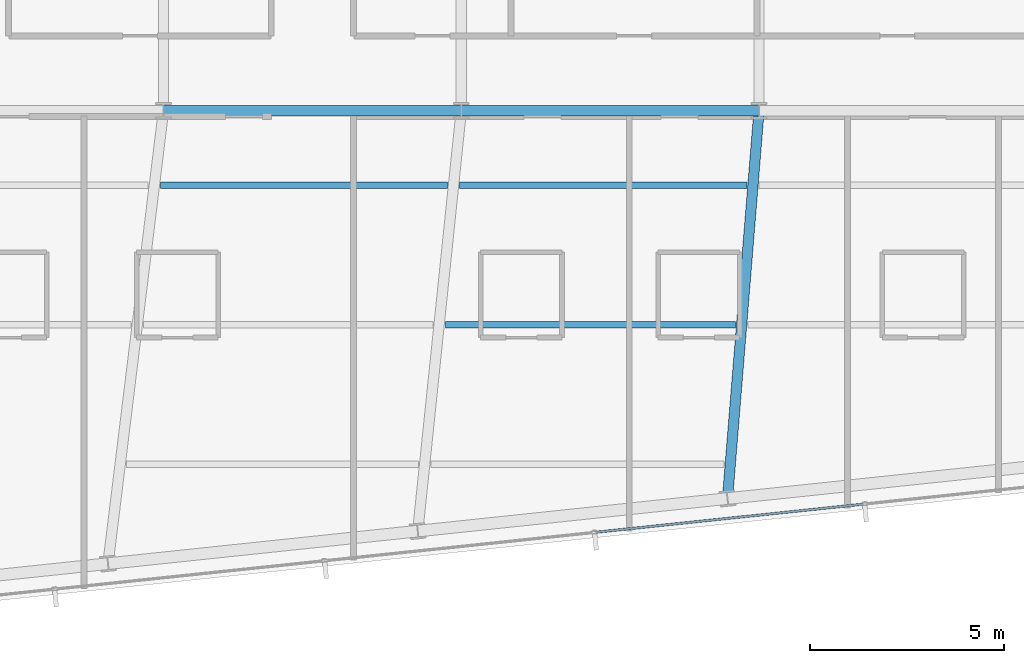
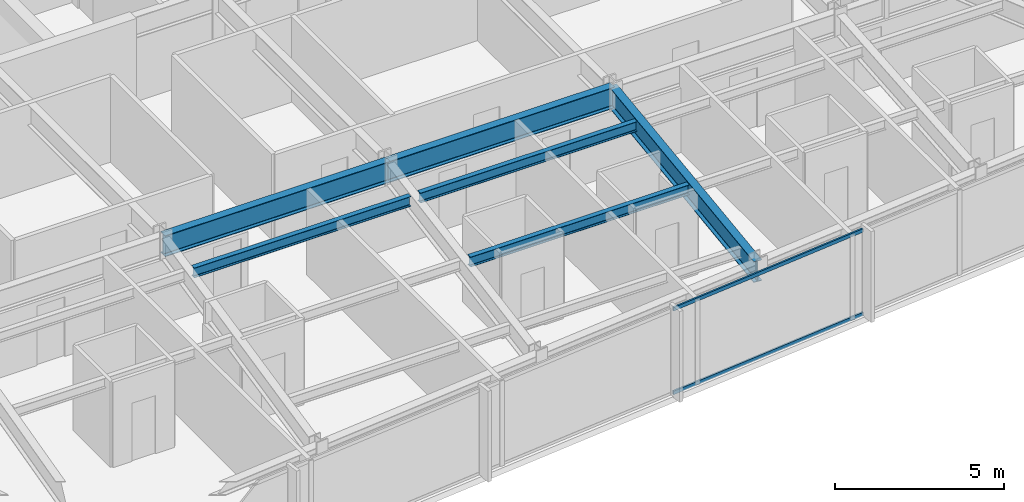
# One storey, part 9 of 33: 6 beams, 2 members, 1 element without a shape of its own.
"""IFC4 building model written with IfcOpenShell, lengths in metres."""

from ifc_helpers import new_model, si_unit, direction, frame, origin, origin_2d, place, context, subcontext, project, spatial, hollow_rectangle, i_section, extrude, material, material_profile, profile_set, type_object, element, aggregate, save


model = new_model("IFC4")

# Units and contexts
model_context = context("Model", 3, precision=1e-05, world=origin(), true_north=direction((0.0, 1.0)))
body_context = subcontext(model_context, "Body", "Model", "MODEL_VIEW")
ifc_project = project(units=[si_unit("LENGTHUNIT", "METRE"), si_unit("AREAUNIT", "SQUARE_METRE"), si_unit("VOLUMEUNIT", "CUBIC_METRE"), si_unit("PLANEANGLEUNIT", "RADIAN"), si_unit("MASSUNIT", "GRAM", prefix="KILO")], contexts=[model_context])

# Site, building, storey
site_placement = place(None, origin())
site = spatial("IfcSite", under=ifc_project, at=site_placement, CompositionType="ELEMENT")
building_placement = place(site_placement, origin())
building = spatial("IfcBuilding", under=site, at=building_placement, Name="Yelkora Congress Tower", CompositionType="ELEMENT")
storey_placement = place(building_placement, frame((0.0, 0.0, 237.5)))
storey = spatial("IfcBuildingStorey", under=building, at=storey_placement, Name="L66", CompositionType="ELEMENT", Elevation=237.5)

# Beams
ifc_material_1 = material(Name="Steel S355J2", Category="steel")
ifc_material_profile_1 = material_profile(ifc_material_1, i_section(OverallWidth=0.26708984375, OverallDepth=0.761962890625, WebThickness=0.014404296875, FlangeThickness=0.021484375, FilletRadius=0.01708984375, at=origin_2d()), Name="IPE 750x173")
ifc_profile_set_1 = profile_set([ifc_material_profile_1], Name="Steel S355J2")
beam_type_1 = type_object("IfcBeamType", Name="BM-GIRD-IPE750", PredefinedType="BEAM", material=ifc_profile_set_1)
beam_1_placement = place(storey_placement, frame((30.719970703125, 25.199951171875, 2.698974609375), z_axis=(1.0, 0.0, 0.0), x_axis=(0.0, 1.0, 0.0)))
element("IfcBeam", 1, at=beam_1_placement, inside=storey, type_object=beam_type_1, Name="L66 Spine Grid D Girder 3", PredefinedType="BEAM", context=body_context, shape_type="SweptSolid", body=[
    extrude(i_section(OverallWidth=0.26708984375, OverallDepth=0.761962890625, WebThickness=0.014404296875, FlangeThickness=0.021484375, FilletRadius=0.01708984375, at=origin_2d()), origin(), (0.0, 0.0, 1.0), 7.679931640625),
])
beam_2_placement = place(storey_placement, frame((38.39990234375, 25.199951171875, 2.698974609375), z_axis=(1.0, 0.0, 0.0), x_axis=(0.0, 1.0, 0.0)))
element("IfcBeam", 2, at=beam_2_placement, inside=storey, type_object=beam_type_1, Name="L66 Spine Grid D Girder 4", PredefinedType="BEAM", context=body_context, shape_type="SweptSolid", body=[
    extrude(i_section(OverallWidth=0.26708984375, OverallDepth=0.761962890625, WebThickness=0.014404296875, FlangeThickness=0.021484375, FilletRadius=0.01708984375, at=origin_2d()), origin(), (0.0, 0.0, 1.0), 7.68017578125),
])
beam_3_placement = place(storey_placement, frame((45.26708984375, 15.197509765625, 2.698974609375), z_axis=(0.081011831965, 0.996713139816, 0.0), x_axis=(-0.996713139816, 0.081011831965, 0.0)))
element("IfcBeam", 3, at=beam_3_placement, inside=storey, type_object=beam_type_1, Name="L66 Primary Frame Girder S04", PredefinedType="BEAM", context=body_context, shape_type="SweptSolid", body=[
    extrude(i_section(OverallWidth=0.26708984375, OverallDepth=0.761962890625, WebThickness=0.014404296875, FlangeThickness=0.021484375, FilletRadius=0.01708984375, at=origin_2d()), origin(), (0.0, 0.0, 1.0), 10.035400390625),
])
ifc_material_profile_2 = material_profile(ifc_material_1, i_section(OverallWidth=0.169921875, OverallDepth=0.360107421875, WebThickness=0.008056640625, FlangeThickness=0.0126953125, FilletRadius=0.01806640625, at=origin_2d()), Name="IPE 360")
ifc_profile_set_2 = profile_set([ifc_material_profile_2], Name="Steel S355J2")
beam_type_2 = type_object("IfcBeamType", Name="BM-JOIST-IPE360", PredefinedType="JOIST", material=ifc_profile_set_2)
beam_4_placement = place(storey_placement, frame((37.988525390625, 19.678466796875, 2.89990234375), z_axis=(1.0, 0.0, 0.0), x_axis=(0.0, 1.0, 0.0)))
element("IfcBeam", 4, at=beam_4_placement, inside=storey, type_object=beam_type_2, Name="L66 Composite Floor Joist 5", PredefinedType="JOIST", context=body_context, shape_type="SweptSolid", body=[
    extrude(i_section(OverallWidth=0.169921875, OverallDepth=0.360107421875, WebThickness=0.008056640625, FlangeThickness=0.0126953125, FilletRadius=0.01806640625, at=origin_2d()), origin(), (0.0, 0.0, 1.0), 7.482666015625),
])
beam_5_placement = place(storey_placement, frame((30.64453125, 23.278564453125, 2.89990234375), z_axis=(1.0, 0.0, 0.0), x_axis=(0.0, 1.0, 0.0)))
element("IfcBeam", 5, at=beam_5_placement, inside=storey, type_object=beam_type_2, Name="L66 Composite Floor Joist 10", PredefinedType="JOIST", context=body_context, shape_type="SweptSolid", body=[
    extrude(i_section(OverallWidth=0.169921875, OverallDepth=0.360107421875, WebThickness=0.008056640625, FlangeThickness=0.0126953125, FilletRadius=0.01806640625, at=origin_2d()), origin(), (0.0, 0.0, 1.0), 7.396484375),
])
beam_6_placement = place(storey_placement, frame((38.361083984375, 23.278564453125, 2.89990234375), z_axis=(1.0, 0.0, 0.0), x_axis=(0.0, 1.0, 0.0)))
element("IfcBeam", 6, at=beam_6_placement, inside=storey, type_object=beam_type_2, Name="L66 Composite Floor Joist 11", PredefinedType="JOIST", context=body_context, shape_type="SweptSolid", body=[
    extrude(i_section(OverallWidth=0.169921875, OverallDepth=0.360107421875, WebThickness=0.008056640625, FlangeThickness=0.0126953125, FilletRadius=0.01806640625, at=origin_2d()), origin(), (0.0, 0.0, 1.0), 7.40283203125),
])

# Curtain wall, members
ifc_material_2 = material(Name="Anodised aluminium and insulated glass", Category="aluminium")
curtain_wall_type = type_object("IfcCurtainWallType", Name="CW-SYS-B4", PredefinedType="NOTDEFINED", material=ifc_material_2)
curtain_wall_placement = place(storey_placement, origin())
curtain_wall = element("IfcCurtainWall", 7, at=curtain_wall_placement, inside=storey, type_object=curtain_wall_type, Name="L66 Unitised Curtain Wall 20", PredefinedType="NOTDEFINED")
ifc_material_3 = material(Name="Anodised aluminium 6063-T6", Category="aluminium")
ifc_material_profile_3 = material_profile(ifc_material_3, hollow_rectangle(XDim=0.06005859375, YDim=0.1298828125, WallThickness=0.00390625, at=origin_2d()), Name="ALU 60x130x4")
ifc_profile_set_3 = profile_set([ifc_material_profile_3], Name="Anodised aluminium 6063-T6")
member_type = type_object("IfcMemberType", Name="MEM-TR-B4", PredefinedType="USERDEFINED", material=ifc_profile_set_3)
member_1_placement = place(storey_placement, frame((48.770263671875, 15.052978515625, 0.030029296875), z_axis=(-0.99452356298, -0.104512595784, 0.0), x_axis=(0.104512595784, -0.99452356298, 0.0)))
member_1 = element("IfcMember", 8, at=member_1_placement, type_object=member_type, Name="CW-B4 transom 4.1", ObjectType="TRANSOM", PredefinedType="USERDEFINED", context=body_context, shape_type="SweptSolid", body=[
    extrude(hollow_rectangle(XDim=0.06005859375, YDim=0.1298828125, WallThickness=0.00390625, at=origin_2d()), origin(), (0.0, 0.0, 1.0), 6.93798828125),
])
member_2_placement = place(storey_placement, frame((48.770263671875, 15.052978515625, 3.050048828125), z_axis=(-0.99452356298, -0.104512595784, 0.0), x_axis=(0.104512595784, -0.99452356298, 0.0)))
member_2 = element("IfcMember", 9, at=member_2_placement, type_object=member_type, Name="CW-B4 transom 4.2", ObjectType="TRANSOM", PredefinedType="USERDEFINED", context=body_context, shape_type="SweptSolid", body=[
    extrude(hollow_rectangle(XDim=0.06005859375, YDim=0.1298828125, WallThickness=0.00390625, at=origin_2d()), origin(), (0.0, 0.0, 1.0), 6.93798828125),
])
aggregate(curtain_wall, [member_1, member_2])

save(model, "model.ifc")
